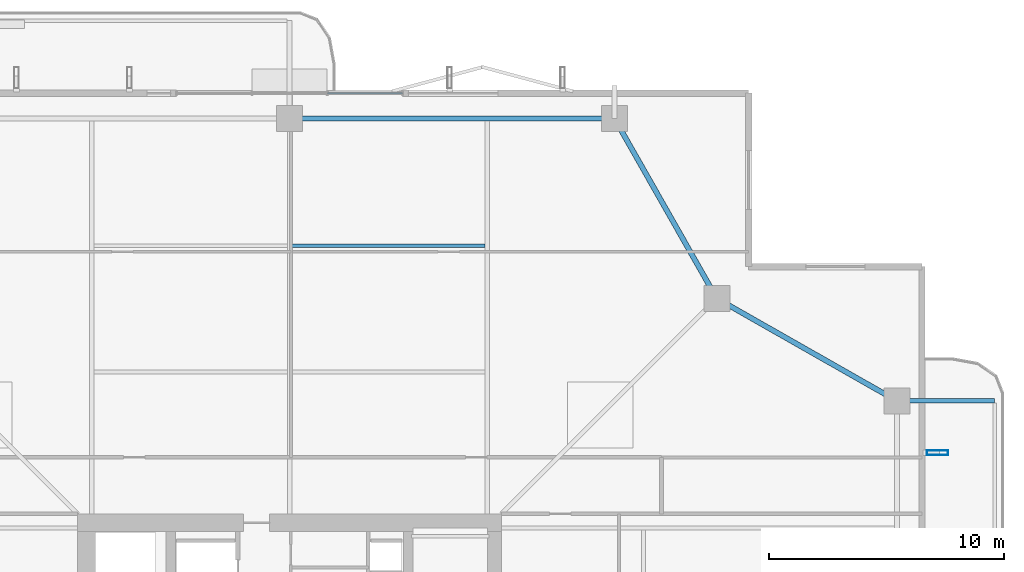
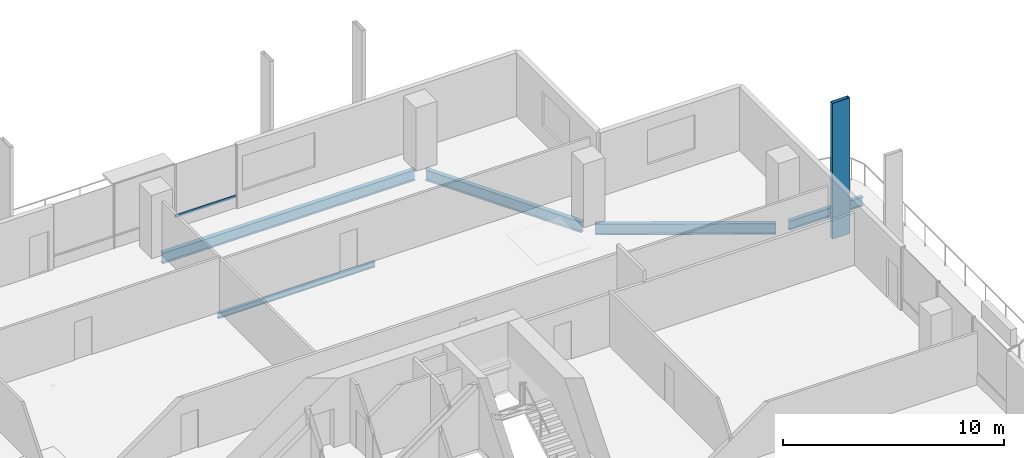
# One storey, part 14 of 24: 5 beams, 2 members, 1 element without a shape of its own.
"""IFC4 building model written with IfcOpenShell, lengths in metres."""

from ifc_helpers import new_model, si_unit, direction, frame, origin, origin_2d, place, context, subcontext, project, spatial, hollow_rectangle, i_section, extrude, material, layer, layer_set, material_profile, profile_set, type_object, element, aggregate, save


model = new_model("IFC4")

# Units and contexts
model_context = context("Model", 3, precision=1e-05, world=origin(), true_north=direction((0.0, 1.0)))
body_context = subcontext(model_context, "Body", "Model", "MODEL_VIEW")
ifc_project = project(units=[si_unit("LENGTHUNIT", "METRE"), si_unit("AREAUNIT", "SQUARE_METRE"), si_unit("VOLUMEUNIT", "CUBIC_METRE"), si_unit("PLANEANGLEUNIT", "RADIAN"), si_unit("MASSUNIT", "GRAM", prefix="KILO")], contexts=[model_context])

# Site, building, storey
site_placement = place(None, origin())
site = spatial("IfcSite", under=ifc_project, at=site_placement, CompositionType="ELEMENT")
building_placement = place(site_placement, origin())
building = spatial("IfcBuilding", under=site, at=building_placement, Name="Belovzor Exchange Tower", CompositionType="ELEMENT")
storey_placement = place(building_placement, frame((0.0, 0.0, 211.199951171875)))
storey = spatial("IfcBuildingStorey", under=building, at=storey_placement, Name="L52", CompositionType="ELEMENT", Elevation=211.199951171875)

# Beams
ifc_material_1 = material(Name="Steel S355", Category="steel")
ifc_material_profile_1 = material_profile(ifc_material_1, i_section(OverallWidth=0.199951171875, OverallDepth=0.5, WebThickness=0.01025390625, FlangeThickness=0.01611328125, at=origin_2d()))
ifc_profile_set_1 = profile_set([ifc_material_profile_1], Name="Steel S355")
beam_type_1 = type_object("IfcBeamType", Name="Planted Balcony Cantilever Beam IPE 500", PredefinedType="BEAM", material=ifc_profile_set_1)
beam_1_placement = place(storey_placement, frame((54.903076171875, 42.60009765625, -0.5), z_axis=(1.0, 0.0, 0.0), x_axis=(0.0, 1.0, 0.0)))
element("IfcBeam", 1, at=beam_1_placement, inside=storey, type_object=beam_type_1, Name="BC-500 Planted Balcony Cantilever Beam IPE 500", PredefinedType="BEAM", context=body_context, shape_type="SweptSolid", body=[
    extrude(i_section(OverallWidth=0.199951171875, OverallDepth=0.5, WebThickness=0.01025390625, FlangeThickness=0.01611328125, at=origin_2d()), origin(), (0.0, 0.0, 1.0), 3.849853515625),
])
ifc_material_2 = material(Name="Steel S355", Category="steel")
ifc_material_profile_2 = material_profile(ifc_material_2, i_section(OverallWidth=0.14990234375, OverallDepth=0.300048828125, WebThickness=0.007080078125, FlangeThickness=0.0107421875, at=origin_2d()))
ifc_profile_set_2 = profile_set([ifc_material_profile_2], Name="Steel S355")
beam_type_2 = type_object("IfcBeamType", Name="Secondary Trim Floor Joist IPE 300", PredefinedType="BEAM", material=ifc_profile_set_2)
beam_2_placement = place(storey_placement, frame((28.89501953125, 49.18701171875, -0.39990234375), z_axis=(1.0, 0.0, 0.0), x_axis=(0.0, 1.0, 0.0)))
element("IfcBeam", 2, at=beam_2_placement, inside=storey, type_object=beam_type_2, Name="FJ-300 Secondary Trim Floor Joist IPE 300", PredefinedType="BEAM", context=body_context, shape_type="SweptSolid", body=[
    extrude(i_section(OverallWidth=0.14990234375, OverallDepth=0.300048828125, WebThickness=0.007080078125, FlangeThickness=0.0107421875, at=origin_2d()), origin(), (0.0, 0.0, 1.0), 8.2099609375),
])

# Member
ifc_material_3 = material(Name="Extruded Architectural Terracotta on Steel S355 Carrier", Category="masonry")
ifc_material_profile_3 = material_profile(ifc_material_3, hollow_rectangle(XDim=0.199951171875, YDim=0.89990234375, WallThickness=0.011962890625, at=origin_2d()))
ifc_profile_set_3 = profile_set([ifc_material_profile_3], Name="Extruded Architectural Terracotta on Steel S355 Carrier")
member_type_1 = type_object("IfcMemberType", Name="Sweeping Terracotta Baguette Fin Assembly 950", PredefinedType="USERDEFINED", material=ifc_profile_set_3)
member_1_placement = place(storey_placement, frame((56.324951171875, 40.39990234375, -0.25), z_axis=(0.0, 0.0, 1.0), x_axis=(0.0, 1.0, 0.0)))
element("IfcMember", 3, at=member_1_placement, inside=storey, type_object=member_type_1, Name="FIN-TC095 Terracotta Facade Fin L52 E4", ObjectType="FIN", PredefinedType="USERDEFINED", context=body_context, shape_type="SweptSolid", body=[
    extrude(hollow_rectangle(XDim=0.199951171875, YDim=0.89990234375, WallThickness=0.011962890625, at=origin_2d()), origin(), (0.0, 0.0, 1.0), 7.5),
])

# Curtain wall, member
ifc_material_4 = material(Name="Anodised Aluminium Framing", Category="aluminium")
ifc_layer = layer(ifc_material_4, 0.179931640625)
ifc_layer_set = layer_set([ifc_layer], Name="Anodised Aluminium Framing")
curtain_wall_type = type_object("IfcCurtainWallType", Name="Recessed Loggia Low-Iron Triple-Glazed Curtain Wall", PredefinedType="NOTDEFINED", material=ifc_layer_set)
curtain_wall_placement = place(storey_placement, origin())
curtain_wall = element("IfcCurtainWall", 4, at=curtain_wall_placement, inside=storey, type_object=curtain_wall_type, Name="CW3 Recessed Loggia Low-Iron Triple-Glazed Curtain Wall L52", PredefinedType="NOTDEFINED")
ifc_material_5 = material(Name="Steel S355", Category="steel")
ifc_material_profile_4 = material_profile(ifc_material_5, hollow_rectangle(XDim=0.06005859375, YDim=0.14990234375, WallThickness=0.00390625, at=origin_2d()))
ifc_profile_set_4 = profile_set([ifc_material_profile_4], Name="Steel S355")
member_type_2 = type_object("IfcMemberType", Name="Thermally Broken Curtain Wall Transom 150x60", PredefinedType="USERDEFINED", material=ifc_profile_set_4)
member_2_placement = place(storey_placement, frame((30.407958984375, 55.669921875, 0.630126953125), z_axis=(1.0, 0.0, 0.0), x_axis=(0.0, 1.0, 0.0)))
member_2 = element("IfcMember", 5, at=member_2_placement, type_object=member_type_2, Name="CW-T150 Curtain Wall Transom 3", ObjectType="TRANSOM", PredefinedType="USERDEFINED", context=body_context, shape_type="SweptSolid", body=[
    extrude(hollow_rectangle(XDim=0.06005859375, YDim=0.14990234375, WallThickness=0.00390625, at=origin_2d()), origin(), (0.0, 0.0, 1.0), 3.18408203125),
])
aggregate(curtain_wall, [member_2])

# Beams
ifc_material_6 = material(Name="Steel S355", Category="steel")
ifc_material_profile_5 = material_profile(ifc_material_6, i_section(OverallWidth=0.219970703125, OverallDepth=0.60009765625, WebThickness=0.011962890625, FlangeThickness=0.01904296875, at=origin_2d()))
ifc_profile_set_5 = profile_set([ifc_material_profile_5], Name="Steel S355")
beam_type_3 = type_object("IfcBeamType", Name="Zone 4 Flare Primary Girder IPE 600", PredefinedType="BEAM", material=ifc_profile_set_5)
for number, where, z_axis, x_axis, name in (
    (6, (54.3369140625, 42.75, -0.550048828125), (-0.869335547884, 0.494222323641, 0.0), (-0.494222323641, -0.869335547884, 0.0), "FG-Z4 Zone 4 Flare Primary Girder IPE 600"),
    (7, (46.800048828125, 47.212890625, -0.550048828125), (-0.494222323641, 0.869335547884, 0.0), (-0.869335547884, -0.494222323641, 0.0), "FG-Z4 Zone 4 Flare Primary Girder IPE 600"),
):
    element("IfcBeam", number, at=place(storey_placement, frame(where, z_axis=z_axis, x_axis=x_axis)), inside=storey, type_object=beam_type_3, Name=name, PredefinedType="BEAM", context=body_context, shape_type="SweptSolid", body=[
        extrude(i_section(OverallWidth=0.219970703125, OverallDepth=0.60009765625, WebThickness=0.011962890625, FlangeThickness=0.01904296875, at=origin_2d()), origin(), (0.0, 0.0, 1.0), 8.19482421875),
    ])
beam_3_placement = place(storey_placement, frame((42.297119140625, 54.60009765625, -0.550048828125), z_axis=(-1.0, 0.0, 0.0), x_axis=(0.0, -1.0, 0.0)))
element("IfcBeam", 8, at=beam_3_placement, inside=storey, type_object=beam_type_3, Name="FG-Z4 Zone 4 Flare Primary Girder IPE 600", PredefinedType="BEAM", context=body_context, shape_type="SweptSolid", body=[
    extrude(i_section(OverallWidth=0.219970703125, OverallDepth=0.60009765625, WebThickness=0.011962890625, FlangeThickness=0.01904296875, at=origin_2d()), origin(), (0.0, 0.0, 1.0), 13.195068359375),
])

save(model, "model.ifc")
